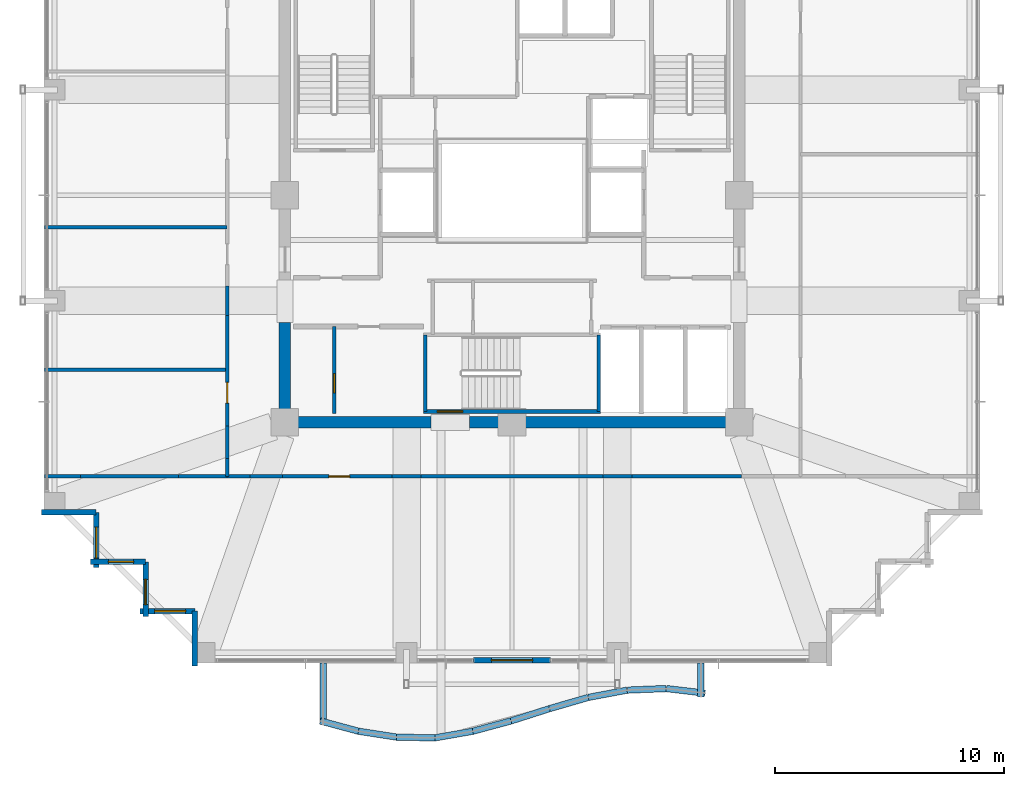
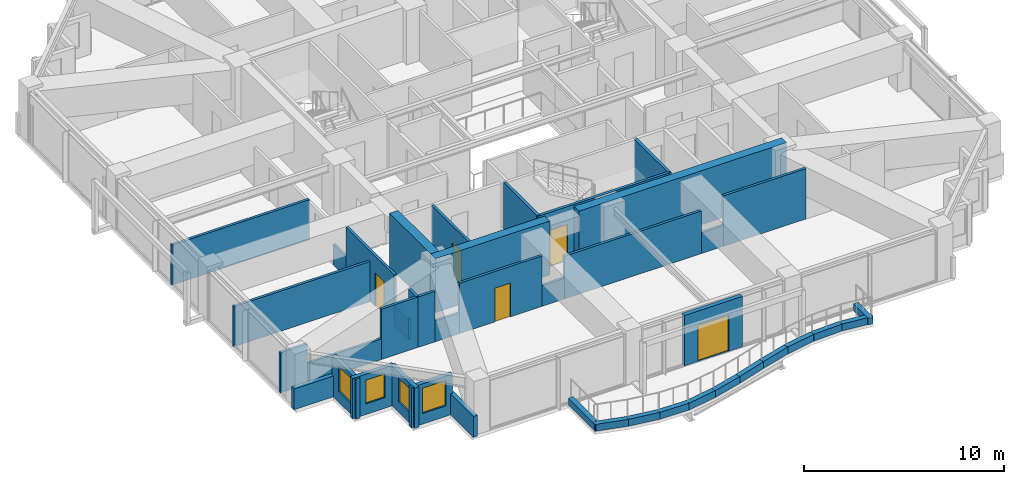
# One storey, part 31 of 37: 42 walls, 5 doors, 4 windows, 9 openings.
"""IFC4 building model written with IfcOpenShell, lengths in metres."""

from ifc_helpers import new_model, si_unit, direction, frame, frame_2d, origin, place, context, subcontext, project, spatial, rectangle, extrude, material, layer, layer_set, type_object, element, fill, save


model = new_model("IFC4")

# Units and contexts
model_context = context("Model", 3, precision=1e-05, world=origin(), true_north=direction((0.0, 1.0)))
body_context = subcontext(model_context, "Body", "Model", "MODEL_VIEW")
ifc_project = project(units=[si_unit("LENGTHUNIT", "METRE"), si_unit("AREAUNIT", "SQUARE_METRE"), si_unit("VOLUMEUNIT", "CUBIC_METRE"), si_unit("PLANEANGLEUNIT", "RADIAN"), si_unit("MASSUNIT", "GRAM", prefix="KILO")], contexts=[model_context])

# Site, building, storey
site_placement = place(None, origin())
site = spatial("IfcSite", under=ifc_project, at=site_placement, CompositionType="ELEMENT")
building_placement = place(site_placement, origin())
building = spatial("IfcBuilding", under=site, at=building_placement, Name="Kolvaren Belvedere", CompositionType="ELEMENT")
storey_placement = place(building_placement, frame((0.0, 0.0, 186.60009765625)))
storey = spatial("IfcBuildingStorey", under=building, at=storey_placement, Name="L54", CompositionType="ELEMENT", Elevation=186.60009765625)

# Walls
ifc_material_1 = material(Name="Concrete C50/60", Category="concrete")
ifc_layer_1 = layer(ifc_material_1, 0.5)
ifc_layer_set_1 = layer_set([ifc_layer_1], Name="Concrete C50/60")
wall_type_1 = type_object("IfcWallType", Name="CW-CORE-500", PredefinedType="SHEAR", material=ifc_layer_set_1)
wall_1_placement = place(storey_placement, frame((10.14990234375, -9.89990234375, 0.0), z_axis=(0.0, 0.0, 1.0), x_axis=(-1.0, 0.0, 0.0)))
element("IfcWall", 1, at=wall_1_placement, inside=storey, type_object=wall_type_1, Name="L54 South Core Shear Wall 1", PredefinedType="SHEAR", context=body_context, shape_type="SweptSolid", body=[
    extrude(rectangle(XDim=12.010009765625, YDim=0.5, at=frame_2d((6.0048828125, 0.0))), origin(), (0.0, 0.0, 1.0), 3.2998046875),
])
wall_2_placement = place(storey_placement, frame((-3.5400390625, -9.89990234375, 0.0), z_axis=(0.0, 0.0, 1.0), x_axis=(-1.0, 0.0, 0.0)))
element("IfcWall", 2, at=wall_2_placement, inside=storey, type_object=wall_type_1, Name="L54 South Core Shear Wall 2", PredefinedType="SHEAR", context=body_context, shape_type="SweptSolid", body=[
    extrude(rectangle(XDim=6.60986328125, YDim=0.5, at=frame_2d((3.304931640625, 0.0))), origin(), (0.0, 0.0, 1.0), 3.2998046875),
])
wall_3_placement = place(storey_placement, frame((-9.89990234375, -9.64990234375, 0.0), z_axis=(0.0, 0.0, 1.0), x_axis=(0.0, 1.0, 0.0)))
element("IfcWall", 3, at=wall_3_placement, inside=storey, type_object=wall_type_1, Name="L54 West Core Shear Wall 1", PredefinedType="SHEAR", context=body_context, shape_type="SweptSolid", body=[
    extrude(rectangle(XDim=4.099853515625, YDim=0.5, at=frame_2d((2.0498046875, 0.0))), origin(), (0.0, 0.0, 1.0), 3.2998046875),
])

# Wall, opening, door
ifc_material_2 = material(Name="Concrete C50/60", Category="concrete")
ifc_layer_2 = layer(ifc_material_2, 0.159912109375)
ifc_layer_set_2 = layer_set([ifc_layer_2], Name="Concrete C50/60")
wall_type_2 = type_object("IfcWallType", Name="CW-STAIR-160", PredefinedType="SHEAR", material=ifc_layer_set_2)
wall_4_placement = place(storey_placement, frame((3.860107421875, -9.429931640625, 0.0), z_axis=(0.0, 0.0, 1.0), x_axis=(-1.0, 0.0, 0.0)))
wall_4 = element("IfcWall", 4, at=wall_4_placement, inside=storey, type_object=wall_type_2, Name="L54 Stair ST-3 South Shear Wall", PredefinedType="SHEAR", context=body_context, shape_type="SweptSolid", body=[
    extrude(rectangle(XDim=7.72021484375, YDim=0.159912109375, at=frame_2d((3.860107421875, 0.0))), origin(), (0.0, 0.0, 1.0), 3.2998046875),
])
opening_1_placement = place(wall_4_placement, frame((6.010009765625, 0.0, 0.0)))
opening_1 = element("IfcOpeningElement", 5, at=opening_1_placement, cuts=wall_4, Name="Opening D-FD90", PredefinedType="OPENING", context=body_context, shape_type="SweptSolid", body=[
    extrude(rectangle(XDim=1.10009765625, YDim=2.199951171875, at=frame_2d((0.550048828125, 1.10009765625))), frame((0.0, 0.08984375, 0.0), z_axis=(0.0, -1.0, 0.0), x_axis=(1.0, 0.0, 0.0)), (0.0, 0.0, 1.0), 0.179931640625),
])
ifc_material_3 = material(Name="Painted hollow stainless steel", Category="steel")
door_type_1 = type_object("IfcDoorType", Name="DR-FD90-1100", OperationType="NOTDEFINED", PredefinedType="DOOR", material=ifc_material_3)
door_1_placement = place(opening_1_placement, origin())
door_1 = element("IfcDoor", 6, at=door_1_placement, inside=storey, type_object=door_type_1, Name="L54 Stair ST-3 Exit Door", OperationType="SINGLE_SWING_RIGHT", OverallHeight=2.199951171875, OverallWidth=1.10009765625, PredefinedType="DOOR", context=body_context, shape_type="SweptSolid", body=[
    extrude(rectangle(XDim=1.10009765625, YDim=2.199951171875, at=frame_2d((0.550048828125, 1.10009765625))), frame((0.0, 0.02490234375, 0.0), z_axis=(0.0, -1.0, 0.0), x_axis=(1.0, 0.0, 0.0)), (0.0, 0.0, 1.0), 0.050048828125),
])
fill(opening_1, door_1)

# Walls
for number, where, z_axis, x_axis, name in (
    (7, (-3.780029296875, -9.429931640625, 0.0), (0.0, 0.0, 1.0), (0.0, 1.0, 0.0), "L54 Stair ST-3 West Shear Wall"),
    (8, (3.780029296875, -9.429931640625, 0.0), (0.0, 0.0, 1.0), (0.0, 1.0, 0.0), "L54 Stair ST-3 East Shear Wall"),
):
    element("IfcWall", number, at=place(storey_placement, frame(where, z_axis=z_axis, x_axis=x_axis)), inside=storey, type_object=wall_type_2, Name=name, PredefinedType="SHEAR", context=body_context, shape_type="SweptSolid", body=[
        extrude(rectangle(XDim=3.349853515625, YDim=0.159912109375, at=frame_2d((1.6748046875, 0.0))), origin(), (0.0, 0.0, 1.0), 3.2998046875),
    ])
ifc_material_4 = material(Name="Gypsum fire-rated partition assembly", Category="gypsum")
ifc_layer_3 = layer(ifc_material_4, 0.14990234375)
ifc_layer_set_3 = layer_set([ifc_layer_3], Name="Gypsum fire-rated partition assembly")
wall_type_3 = type_object("IfcWallType", Name="WL-CORR-150", PredefinedType="PARTITIONING", material=ifc_layer_set_3)
wall_5_placement = place(storey_placement, frame((-12.419921875, -12.260009765625, 0.0), z_axis=(0.0, 0.0, 1.0), x_axis=(1.0, 0.0, 0.0)))
element("IfcWall", 9, at=wall_5_placement, inside=storey, type_object=wall_type_3, Name="L54 South Corridor Wall", PredefinedType="PARTITIONING", context=body_context, shape_type="SweptSolid", body=[
    extrude(rectangle(XDim=0.989501953125, YDim=0.14990234375, at=frame_2d((0.49462890625, 0.0))), origin(), (0.0, 0.0, 1.0), 3.079833984375),
])
wall_6_placement = place(storey_placement, frame((-11.430419921875, -12.260009765625, 0.0), z_axis=(0.0, 0.0, 1.0), x_axis=(1.0, 0.0, 0.0)))
element("IfcWall", 10, at=wall_6_placement, inside=storey, type_object=wall_type_3, Name="L54 South Corridor Wall", PredefinedType="PARTITIONING", context=body_context, shape_type="SweptSolid", body=[
    extrude(rectangle(XDim=1.416748046875, YDim=0.14990234375, at=frame_2d((0.70849609375, 0.0))), origin(), (0.0, 0.0, 1.0), 1.264892578125),
])

# Wall, opening, door
wall_7_placement = place(storey_placement, frame((-10.013671875, -12.260009765625, 0.0), z_axis=(0.0, 0.0, 1.0), x_axis=(1.0, 0.0, 0.0)))
wall_7 = element("IfcWall", 11, at=wall_7_placement, inside=storey, type_object=wall_type_3, Name="L54 South Corridor Wall", PredefinedType="PARTITIONING", context=body_context, shape_type="SweptSolid", body=[
    extrude(rectangle(XDim=4.771728515625, YDim=0.14990234375, at=frame_2d((2.3857421875, 0.0))), origin(), (0.0, 0.0, 1.0), 3.079833984375),
])
opening_2_placement = place(wall_7_placement, frame((2.028564453125, 0.0, 0.0)))
opening_2 = element("IfcOpeningElement", 12, at=opening_2_placement, cuts=wall_7, Name="Opening D-INT90", PredefinedType="OPENING", context=body_context, shape_type="SweptSolid", body=[
    extrude(rectangle(XDim=0.89990234375, YDim=2.06005859375, at=frame_2d((0.449951171875, 1.030029296875))), frame((0.0, 0.0849609375, 0.0), z_axis=(0.0, -1.0, 0.0), x_axis=(1.0, 0.0, 0.0)), (0.0, 0.0, 1.0), 0.169921875),
])
ifc_material_5 = material(Name="Stained Pacific white oak", Category="timber")
door_type_2 = type_object("IfcDoorType", Name="DR-INT-900", OperationType="NOTDEFINED", PredefinedType="DOOR", material=ifc_material_5)
door_2_placement = place(opening_2_placement, origin())
door_2 = element("IfcDoor", 13, at=door_2_placement, inside=storey, type_object=door_type_2, Name="L54 Lounge 5401 Door", OperationType="SINGLE_SWING_RIGHT", OverallHeight=2.06005859375, OverallWidth=0.89990234375, PredefinedType="DOOR", context=body_context, shape_type="SweptSolid", body=[
    extrude(rectangle(XDim=0.89990234375, YDim=2.06005859375, at=frame_2d((0.449951171875, 1.030029296875))), frame((0.0, 0.02490234375, 0.0), z_axis=(0.0, -1.0, 0.0), x_axis=(1.0, 0.0, 0.0)), (0.0, 0.0, 1.0), 0.050048828125),
])
fill(opening_2, door_2)

# Walls
wall_8_placement = place(storey_placement, frame((-5.241943359375, -12.260009765625, 0.0), z_axis=(0.0, 0.0, 1.0), x_axis=(1.0, 0.0, 0.0)))
element("IfcWall", 14, at=wall_8_placement, inside=storey, type_object=wall_type_3, Name="L54 South Corridor Wall", PredefinedType="PARTITIONING", context=body_context, shape_type="SweptSolid", body=[
    extrude(rectangle(XDim=1.283935546875, YDim=0.14990234375, at=frame_2d((0.64208984375, 0.0))), origin(), (0.0, 0.0, 1.0), 1.264892578125),
])
wall_9_placement = place(storey_placement, frame((-3.9580078125, -12.260009765625, 0.0), z_axis=(0.0, 0.0, 1.0), x_axis=(1.0, 0.0, 0.0)))
element("IfcWall", 15, at=wall_9_placement, inside=storey, type_object=wall_type_3, Name="L54 South Corridor Wall", PredefinedType="PARTITIONING", context=body_context, shape_type="SweptSolid", body=[
    extrude(rectangle(XDim=7.916015625, YDim=0.14990234375, at=frame_2d((3.9580078125, 0.0))), origin(), (0.0, 0.0, 1.0), 2.60498046875),
])
wall_10_placement = place(storey_placement, frame((3.9580078125, -12.260009765625, 0.0), z_axis=(0.0, 0.0, 1.0), x_axis=(1.0, 0.0, 0.0)))
element("IfcWall", 16, at=wall_10_placement, inside=storey, type_object=wall_type_3, Name="L54 South Corridor Wall", PredefinedType="PARTITIONING", context=body_context, shape_type="SweptSolid", body=[
    extrude(rectangle(XDim=1.283935546875, YDim=0.14990234375, at=frame_2d((0.64208984375, 0.0))), origin(), (0.0, 0.0, 1.0), 1.264892578125),
])
wall_11_placement = place(storey_placement, frame((5.241943359375, -12.260009765625, 0.0), z_axis=(0.0, 0.0, 1.0), x_axis=(1.0, 0.0, 0.0)))
element("IfcWall", 17, at=wall_11_placement, inside=storey, type_object=wall_type_3, Name="L54 South Corridor Wall", PredefinedType="PARTITIONING", context=body_context, shape_type="SweptSolid", body=[
    extrude(rectangle(XDim=4.771728515625, YDim=0.14990234375, at=frame_2d((2.3857421875, 0.0))), origin(), (0.0, 0.0, 1.0), 3.079833984375),
])
wall_12_placement = place(storey_placement, frame((-12.419921875, -12.260009765625, 0.0), z_axis=(0.0, 0.0, 1.0), x_axis=(0.0, 1.0, 0.0)))
element("IfcWall", 18, at=wall_12_placement, inside=storey, type_object=wall_type_3, Name="L54 West Corridor Wall", PredefinedType="PARTITIONING", context=body_context, shape_type="SweptSolid", body=[
    extrude(rectangle(XDim=0.77392578125, YDim=0.14990234375, at=frame_2d((0.386962890625, 0.0))), origin(), (0.0, 0.0, 1.0), 3.079833984375),
])
wall_13_placement = place(storey_placement, frame((-12.419921875, -11.486083984375, 0.0), z_axis=(0.0, 0.0, 1.0), x_axis=(0.0, 1.0, 0.0)))
element("IfcWall", 19, at=wall_13_placement, inside=storey, type_object=wall_type_3, Name="L54 West Corridor Wall", PredefinedType="PARTITIONING", context=body_context, shape_type="SweptSolid", body=[
    extrude(rectangle(XDim=1.416748046875, YDim=0.14990234375, at=frame_2d((0.70849609375, 0.0))), origin(), (0.0, 0.0, 1.0), 1.264892578125),
])

# Wall, opening, door
wall_14_placement = place(storey_placement, frame((-12.419921875, -10.0693359375, 0.0), z_axis=(0.0, 0.0, 1.0), x_axis=(0.0, 1.0, 0.0)))
wall_14 = element("IfcWall", 20, at=wall_14_placement, inside=storey, type_object=wall_type_3, Name="L54 West Corridor Wall", PredefinedType="PARTITIONING", context=body_context, shape_type="SweptSolid", body=[
    extrude(rectangle(XDim=4.827392578125, YDim=0.14990234375, at=frame_2d((2.41357421875, 0.0))), origin(), (0.0, 0.0, 1.0), 3.079833984375),
])
opening_3_placement = place(wall_14_placement, frame((1.012451171875, 0.0, 0.0)))
opening_3 = element("IfcOpeningElement", 21, at=opening_3_placement, cuts=wall_14, Name="Opening D-INT90", PredefinedType="OPENING", context=body_context, shape_type="SweptSolid", body=[
    extrude(rectangle(XDim=0.89990234375, YDim=2.06005859375, at=frame_2d((0.449951171875, 1.030029296875))), frame((0.0, 0.0849609375, 0.0), z_axis=(0.0, -1.0, 0.0), x_axis=(1.0, 0.0, 0.0)), (0.0, 0.0, 1.0), 0.169921875),
])
door_3_placement = place(opening_3_placement, origin())
door_3 = element("IfcDoor", 22, at=door_3_placement, inside=storey, type_object=door_type_2, Name="L54 Wellness Yoga & Reading Gym 5404 Door", OperationType="SINGLE_SWING_LEFT", OverallHeight=2.06005859375, OverallWidth=0.89990234375, PredefinedType="DOOR", context=body_context, shape_type="SweptSolid", body=[
    extrude(rectangle(XDim=0.89990234375, YDim=2.06005859375, at=frame_2d((0.449951171875, 1.030029296875))), frame((0.0, 0.02490234375, 0.0), z_axis=(0.0, -1.0, 0.0), x_axis=(1.0, 0.0, 0.0)), (0.0, 0.0, 1.0), 0.050048828125),
])
fill(opening_3, door_3)

# Wall
wall_15_placement = place(storey_placement, frame((-12.419921875, -5.241943359375, 0.0), z_axis=(0.0, 0.0, 1.0), x_axis=(0.0, 1.0, 0.0)))
element("IfcWall", 23, at=wall_15_placement, inside=storey, type_object=wall_type_3, Name="L54 West Corridor Wall", PredefinedType="PARTITIONING", context=body_context, shape_type="SweptSolid", body=[
    extrude(rectangle(XDim=1.283935546875, YDim=0.14990234375, at=frame_2d((0.64208984375, 0.0))), origin(), (0.0, 0.0, 1.0), 1.264892578125),
])

# Wall, opening, door
ifc_material_6 = material(Name="Insulated pale-metal facade wall assembly", Category="aluminium")
ifc_layer_4 = layer(ifc_material_6, 0.239990234375)
ifc_layer_set_4 = layer_set([ifc_layer_4], Name="Insulated pale-metal facade wall assembly")
wall_type_4 = type_object("IfcWallType", Name="WL-EXT-240", PredefinedType="STANDARD", material=ifc_layer_set_4)
wall_16_placement = place(storey_placement, frame((1.679931640625, -20.280029296875, 0.0), z_axis=(0.0, 0.0, 1.0), x_axis=(-1.0, 0.0, 0.0)))
wall_16 = element("IfcWall", 24, at=wall_16_placement, inside=storey, type_object=wall_type_4, Name="L54 South Terrace Portal Wall", PredefinedType="STANDARD", context=body_context, shape_type="SweptSolid", body=[
    extrude(rectangle(XDim=3.35986328125, YDim=0.239990234375, at=frame_2d((1.679931640625, 0.0))), origin(), (0.0, 0.0, 1.0), 3.079833984375),
])
opening_4_placement = place(wall_16_placement, frame((0.780029296875, 0.0, 0.0)))
opening_4 = element("IfcOpeningElement", 25, at=opening_4_placement, cuts=wall_16, Name="Opening DB-1800", PredefinedType="OPENING", context=body_context, shape_type="SweptSolid", body=[
    extrude(rectangle(XDim=1.800048828125, YDim=2.199951171875, at=frame_2d((0.89990234375, 1.10009765625))), frame((0.0, 0.1298828125, 0.0), z_axis=(0.0, -1.0, 0.0), x_axis=(1.0, 0.0, 0.0)), (0.0, 0.0, 1.0), 0.260009765625),
])
ifc_material_7 = material(Name="Thermally broken pale-metal aluminium & low-iron glass", Category="aluminium")
door_type_3 = type_object("IfcDoorType", Name="DR-BAL-1800", OperationType="DOUBLE_DOOR_SLIDING", PredefinedType="DOOR", material=ifc_material_7)
door_4_placement = place(opening_4_placement, origin())
door_4 = element("IfcDoor", 26, at=door_4_placement, inside=storey, type_object=door_type_3, Name="L54 South Planted Terrace Sliding Door", OperationType="DOUBLE_DOOR_SLIDING", OverallHeight=2.199951171875, OverallWidth=1.800048828125, PredefinedType="DOOR", context=body_context, shape_type="SweptSolid", body=[
    extrude(rectangle(XDim=1.800048828125, YDim=2.199951171875, at=frame_2d((0.89990234375, 1.10009765625))), frame((0.0, 0.02490234375, 0.0), z_axis=(0.0, -1.0, 0.0), x_axis=(1.0, 0.0, 0.0)), (0.0, 0.0, 1.0), 0.050048828125),
])
fill(opening_4, door_4)

# Wall
wall_17_placement = place(storey_placement, frame((-18.1298828125, -13.830078125, 0.0), z_axis=(0.0, 0.0, 1.0), x_axis=(-1.0, 0.0, 0.0)))
element("IfcWall", 27, at=wall_17_placement, inside=storey, type_object=wall_type_4, Name="L54 Serrated Corner Facade Wall 23", PredefinedType="STANDARD", context=body_context, shape_type="SweptSolid", body=[
    extrude(rectangle(XDim=2.39013671875, YDim=0.239990234375, at=frame_2d((1.195068359375, 0.0))), origin(), (0.0, 0.0, 1.0), 1.27490234375),
])

# Wall, opening, window
wall_18_placement = place(storey_placement, frame((-18.1298828125, -16.219970703125, 0.0), z_axis=(0.0, 0.0, 1.0), x_axis=(0.0, 1.0, 0.0)))
wall_18 = element("IfcWall", 28, at=wall_18_placement, inside=storey, type_object=wall_type_4, Name="L54 Serrated Corner Facade Wall 24", PredefinedType="STANDARD", context=body_context, shape_type="SweptSolid", body=[
    extrude(rectangle(XDim=2.389892578125, YDim=0.239990234375, at=frame_2d((1.19482421875, 0.0))), origin(), (0.0, 0.0, 1.0), 2.462890625),
])
opening_5_placement = place(wall_18_placement, frame((0.39990234375, 0.0, 0.64990234375)))
opening_5 = element("IfcOpeningElement", 29, at=opening_5_placement, cuts=wall_18, Name="Opening W-1350", PredefinedType="OPENING", context=body_context, shape_type="SweptSolid", body=[
    extrude(rectangle(XDim=1.35009765625, YDim=1.550048828125, at=frame_2d((0.675048828125, 0.77490234375))), frame((0.0, 0.1298828125, 0.0), z_axis=(0.0, -1.0, 0.0), x_axis=(1.0, 0.0, 0.0)), (0.0, 0.0, 1.0), 0.260009765625),
])
ifc_material_8 = material(Name="Low-iron triple insulated glass", Category="glass")
window_type_1 = type_object("IfcWindowType", Name="WN-CORN-1350", PartitioningType="SINGLE_PANEL", PredefinedType="WINDOW", material=ifc_material_8)
window_1_placement = place(opening_5_placement, origin())
window_1 = element("IfcWindow", 30, at=window_1_placement, inside=storey, type_object=window_type_1, Name="L54 Serrated Corner Vision Window 24", OverallHeight=1.550048828125, OverallWidth=1.35009765625, PartitioningType="SINGLE_PANEL", PredefinedType="WINDOW", context=body_context, shape_type="SweptSolid", body=[
    extrude(rectangle(XDim=1.35009765625, YDim=1.550048828125, at=frame_2d((0.675048828125, 0.77490234375))), frame((0.0, 0.030029296875, 0.0), z_axis=(0.0, -1.0, 0.0), x_axis=(1.0, 0.0, 0.0)), (0.0, 0.0, 1.0), 0.06005859375),
])
fill(opening_5, window_1)

wall_19_placement = place(storey_placement, frame((-15.97998046875, -15.97998046875, 0.0), z_axis=(0.0, 0.0, 1.0), x_axis=(-1.0, 0.0, 0.0)))
wall_19 = element("IfcWall", 31, at=wall_19_placement, inside=storey, type_object=wall_type_4, Name="L54 Serrated Corner Facade Wall 25", PredefinedType="STANDARD", context=body_context, shape_type="SweptSolid", body=[
    extrude(rectangle(XDim=2.39013671875, YDim=0.239990234375, at=frame_2d((1.195068359375, 0.0))), origin(), (0.0, 0.0, 1.0), 2.462890625),
])
opening_6_placement = place(wall_19_placement, frame((0.52490234375, 0.0, 0.64990234375)))
opening_6 = element("IfcOpeningElement", 32, at=opening_6_placement, cuts=wall_19, Name="Opening W-1100", PredefinedType="OPENING", context=body_context, shape_type="SweptSolid", body=[
    extrude(rectangle(XDim=1.10009765625, YDim=1.449951171875, at=frame_2d((0.550048828125, 0.72509765625))), frame((0.0, 0.1298828125, 0.0), z_axis=(0.0, -1.0, 0.0), x_axis=(1.0, 0.0, 0.0)), (0.0, 0.0, 1.0), 0.260009765625),
])
ifc_material_9 = material(Name="Low-iron triple insulated glass", Category="glass")
window_type_2 = type_object("IfcWindowType", Name="WN-CORN-1100", PartitioningType="SINGLE_PANEL", PredefinedType="WINDOW", material=ifc_material_9)
window_2_placement = place(opening_6_placement, origin())
window_2 = element("IfcWindow", 33, at=window_2_placement, inside=storey, type_object=window_type_2, Name="L54 Serrated Corner Vision Window 25", OverallHeight=1.449951171875, OverallWidth=1.10009765625, PartitioningType="SINGLE_PANEL", PredefinedType="WINDOW", context=body_context, shape_type="SweptSolid", body=[
    extrude(rectangle(XDim=1.10009765625, YDim=1.449951171875, at=frame_2d((0.550048828125, 0.72509765625))), frame((0.0, 0.030029296875, 0.0), z_axis=(0.0, -1.0, 0.0), x_axis=(1.0, 0.0, 0.0)), (0.0, 0.0, 1.0), 0.06005859375),
])
fill(opening_6, window_2)

wall_20_placement = place(storey_placement, frame((-15.97998046875, -18.3701171875, 0.0), z_axis=(0.0, 0.0, 1.0), x_axis=(0.0, 1.0, 0.0)))
wall_20 = element("IfcWall", 34, at=wall_20_placement, inside=storey, type_object=wall_type_4, Name="L54 Serrated Corner Facade Wall 26", PredefinedType="STANDARD", context=body_context, shape_type="SweptSolid", body=[
    extrude(rectangle(XDim=2.39013671875, YDim=0.239990234375, at=frame_2d((1.195068359375, 0.0))), origin(), (0.0, 0.0, 1.0), 2.462890625),
])
opening_7_placement = place(wall_20_placement, frame((0.52490234375, 0.0, 0.64990234375)))
opening_7 = element("IfcOpeningElement", 35, at=opening_7_placement, cuts=wall_20, Name="Opening W-1100", PredefinedType="OPENING", context=body_context, shape_type="SweptSolid", body=[
    extrude(rectangle(XDim=1.10009765625, YDim=1.449951171875, at=frame_2d((0.550048828125, 0.72509765625))), frame((0.0, 0.1298828125, 0.0), z_axis=(0.0, -1.0, 0.0), x_axis=(1.0, 0.0, 0.0)), (0.0, 0.0, 1.0), 0.260009765625),
])
window_3_placement = place(opening_7_placement, origin())
window_3 = element("IfcWindow", 36, at=window_3_placement, inside=storey, type_object=window_type_2, Name="L54 Serrated Corner Vision Window 26", OverallHeight=1.449951171875, OverallWidth=1.10009765625, PartitioningType="SINGLE_PANEL", PredefinedType="WINDOW", context=body_context, shape_type="SweptSolid", body=[
    extrude(rectangle(XDim=1.10009765625, YDim=1.449951171875, at=frame_2d((0.550048828125, 0.72509765625))), frame((0.0, 0.030029296875, 0.0), z_axis=(0.0, -1.0, 0.0), x_axis=(1.0, 0.0, 0.0)), (0.0, 0.0, 1.0), 0.06005859375),
])
fill(opening_7, window_3)

wall_21_placement = place(storey_placement, frame((-13.830078125, -18.1298828125, 0.0), z_axis=(0.0, 0.0, 1.0), x_axis=(-1.0, 0.0, 0.0)))
wall_21 = element("IfcWall", 37, at=wall_21_placement, inside=storey, type_object=wall_type_4, Name="L54 Serrated Corner Facade Wall 27", PredefinedType="STANDARD", context=body_context, shape_type="SweptSolid", body=[
    extrude(rectangle(XDim=2.389892578125, YDim=0.239990234375, at=frame_2d((1.19482421875, 0.0))), origin(), (0.0, 0.0, 1.0), 2.462890625),
])
opening_8_placement = place(wall_21_placement, frame((0.39990234375, 0.0, 0.64990234375)))
opening_8 = element("IfcOpeningElement", 38, at=opening_8_placement, cuts=wall_21, Name="Opening W-1350", PredefinedType="OPENING", context=body_context, shape_type="SweptSolid", body=[
    extrude(rectangle(XDim=1.35009765625, YDim=1.550048828125, at=frame_2d((0.675048828125, 0.77490234375))), frame((0.0, 0.1298828125, 0.0), z_axis=(0.0, -1.0, 0.0), x_axis=(1.0, 0.0, 0.0)), (0.0, 0.0, 1.0), 0.260009765625),
])
window_4_placement = place(opening_8_placement, origin())
window_4 = element("IfcWindow", 39, at=window_4_placement, inside=storey, type_object=window_type_1, Name="L54 Serrated Corner Vision Window 27", OverallHeight=1.550048828125, OverallWidth=1.35009765625, PartitioningType="SINGLE_PANEL", PredefinedType="WINDOW", context=body_context, shape_type="SweptSolid", body=[
    extrude(rectangle(XDim=1.35009765625, YDim=1.550048828125, at=frame_2d((0.675048828125, 0.77490234375))), frame((0.0, 0.030029296875, 0.0), z_axis=(0.0, -1.0, 0.0), x_axis=(1.0, 0.0, 0.0)), (0.0, 0.0, 1.0), 0.06005859375),
])
fill(opening_8, window_4)

# Wall
wall_22_placement = place(storey_placement, frame((-13.830078125, -20.52001953125, 0.0), z_axis=(0.0, 0.0, 1.0), x_axis=(0.0, 1.0, 0.0)))
element("IfcWall", 40, at=wall_22_placement, inside=storey, type_object=wall_type_4, Name="L54 Serrated Corner Facade Wall 28", PredefinedType="STANDARD", context=body_context, shape_type="SweptSolid", body=[
    extrude(rectangle(XDim=2.39013671875, YDim=0.239990234375, at=frame_2d((1.195068359375, 0.0))), origin(), (0.0, 0.0, 1.0), 1.27490234375),
])

# Wall, opening, door
ifc_material_10 = material(Name="Gypsum acoustic partition assembly", Category="gypsum")
ifc_layer_5 = layer(ifc_material_10, 0.14990234375)
ifc_layer_set_5 = layer_set([ifc_layer_5], Name="Gypsum acoustic partition assembly")
wall_type_5 = type_object("IfcWallType", Name="WL-PART-150", PredefinedType="PARTITIONING", material=ifc_layer_set_5)
wall_23_placement = place(storey_placement, frame((-7.75, -9.52001953125, 0.0), z_axis=(0.0, 0.0, 1.0), x_axis=(0.0, 1.0, 0.0)))
wall_23 = element("IfcWall", 41, at=wall_23_placement, inside=storey, type_object=wall_type_5, Name="L54 Reclaimed Mid Store Divider", PredefinedType="PARTITIONING", context=body_context, shape_type="SweptSolid", body=[
    extrude(rectangle(XDim=3.800048828125, YDim=0.14990234375, at=frame_2d((1.89990234375, 0.0))), origin(), (0.0, 0.0, 1.0), 3.079833984375),
])
opening_9_placement = place(wall_23_placement, frame((0.89990234375, 0.0, 0.0)))
opening_9 = element("IfcOpeningElement", 42, at=opening_9_placement, cuts=wall_23, Name="Opening D-INT85", PredefinedType="OPENING", context=body_context, shape_type="SweptSolid", body=[
    extrude(rectangle(XDim=0.85009765625, YDim=2.030029296875, at=frame_2d((0.425048828125, 1.01513671875))), frame((0.0, 0.0849609375, 0.0), z_axis=(0.0, -1.0, 0.0), x_axis=(1.0, 0.0, 0.0)), (0.0, 0.0, 1.0), 0.169921875),
])
ifc_material_11 = material(Name="Stained Pacific white oak", Category="timber")
door_type_4 = type_object("IfcDoorType", Name="DR-INT-850", OperationType="NOTDEFINED", PredefinedType="DOOR", material=ifc_material_11)
door_5_placement = place(opening_9_placement, origin())
door_5 = element("IfcDoor", 43, at=door_5_placement, inside=storey, type_object=door_type_4, Name="L54 Janitor Store Door", OperationType="SINGLE_SWING_RIGHT", OverallHeight=2.030029296875, OverallWidth=0.85009765625, PredefinedType="DOOR", context=body_context, shape_type="SweptSolid", body=[
    extrude(rectangle(XDim=0.85009765625, YDim=2.030029296875, at=frame_2d((0.425048828125, 1.01513671875))), frame((0.0, 0.02490234375, 0.0), z_axis=(0.0, -1.0, 0.0), x_axis=(1.0, 0.0, 0.0)), (0.0, 0.0, 1.0), 0.050048828125),
])
fill(opening_9, door_5)

# Walls
wall_24_placement = place(storey_placement, frame((-20.3798828125, -12.260009765625, 0.0), z_axis=(0.0, 0.0, 1.0), x_axis=(1.0, 0.0, 0.0)))
element("IfcWall", 44, at=wall_24_placement, inside=storey, type_object=wall_type_5, Name="L54 Wing Divider PW-L54-QSW", PredefinedType="PARTITIONING", context=body_context, shape_type="SweptSolid", body=[
    extrude(rectangle(XDim=1.562744140625, YDim=0.14990234375, at=frame_2d((0.78125, 0.0))), origin(), (0.0, 0.0, 1.0), 2.452880859375),
])
wall_25_placement = place(storey_placement, frame((-18.817138671875, -12.260009765625, 0.0), z_axis=(0.0, 0.0, 1.0), x_axis=(1.0, 0.0, 0.0)))
element("IfcWall", 45, at=wall_25_placement, inside=storey, type_object=wall_type_5, Name="L54 Wing Divider PW-L54-QSW", PredefinedType="PARTITIONING", context=body_context, shape_type="SweptSolid", body=[
    extrude(rectangle(XDim=4.28125, YDim=0.14990234375, at=frame_2d((2.140625, 0.0))), origin(), (0.0, 0.0, 1.0), 1.264892578125),
])
wall_26_placement = place(storey_placement, frame((-14.535888671875, -12.260009765625, 0.0), z_axis=(0.0, 0.0, 1.0), x_axis=(1.0, 0.0, 0.0)))
element("IfcWall", 46, at=wall_26_placement, inside=storey, type_object=wall_type_5, Name="L54 Wing Divider PW-L54-QSW", PredefinedType="PARTITIONING", context=body_context, shape_type="SweptSolid", body=[
    extrude(rectangle(XDim=2.115966796875, YDim=0.14990234375, at=frame_2d((1.05810546875, 0.0))), origin(), (0.0, 0.0, 1.0), 3.079833984375),
])
for number, where, z_axis, x_axis, name in (
    (47, (-20.3798828125, -7.60009765625, 0.0), (0.0, 0.0, 1.0), (1.0, 0.0, 0.0), "L54 West Suite Demising Wall 1"),
    (48, (-20.3798828125, -1.39990234375, 0.0), (0.0, 0.0, 1.0), (1.0, 0.0, 0.0), "L54 West Suite Demising Wall 2"),
):
    element("IfcWall", number, at=place(storey_placement, frame(where, z_axis=z_axis, x_axis=x_axis)), inside=storey, type_object=wall_type_5, Name=name, PredefinedType="PARTITIONING", context=body_context, shape_type="SweptSolid", body=[
        extrude(rectangle(XDim=7.9599609375, YDim=0.14990234375, at=frame_2d((3.97998046875, 0.0))), origin(), (0.0, 0.0, 1.0), 2.452880859375),
    ])
ifc_material_12 = material(Name="Precast concrete C40/50", Category="concrete")
ifc_layer_6 = layer(ifc_material_12, 0.300048828125)
ifc_layer_set_6 = layer_set([ifc_layer_6], Name="Precast concrete C40/50")
wall_type_6 = type_object("IfcWallType", Name="WL-PLANTER-300", PredefinedType="PARAPET", material=ifc_layer_set_6)
wall_27_placement = place(storey_placement, frame((-8.3583984375, -22.919189453125, -0.0400390625), z_axis=(0.0, 0.0, 1.0), x_axis=(0.965434024814, -0.260647546949, 0.0)))
element("IfcWall", 49, at=wall_27_placement, inside=storey, type_object=wall_type_6, Name="L54 Precast Structural Planter Wall BAL-S-1", PredefinedType="PARAPET", context=body_context, shape_type="SweptSolid", body=[
    extrude(rectangle(XDim=1.740234375, YDim=0.280029296875, at=frame_2d((0.8701171875, 0.0))), origin(), (0.0, 0.0, 1.0), 0.419921875),
])
wall_28_placement = place(storey_placement, frame((-6.695556640625, -23.369140625, -0.0400390625), z_axis=(0.0, 0.0, 1.0), x_axis=(0.988341789514, -0.152251460091, 0.0)))
element("IfcWall", 50, at=wall_28_placement, inside=storey, type_object=wall_type_6, Name="L54 Precast Structural Planter Wall BAL-S-2", PredefinedType="PARAPET", context=body_context, shape_type="SweptSolid", body=[
    extrude(rectangle(XDim=1.69970703125, YDim=0.280029296875, at=frame_2d((0.849853515625, 0.0))), origin(), (0.0, 0.0, 1.0), 0.419921875),
])
wall_29_placement = place(storey_placement, frame((-5.036865234375, -23.626220703125, -0.0400390625), z_axis=(0.0, 0.0, 1.0), x_axis=(0.999799013034, -0.020048280122, 0.0)))
element("IfcWall", 51, at=wall_29_placement, inside=storey, type_object=wall_type_6, Name="L54 Precast Structural Planter Wall BAL-S-3", PredefinedType="PARAPET", context=body_context, shape_type="SweptSolid", body=[
    extrude(rectangle(XDim=1.680419921875, YDim=0.280029296875, at=frame_2d((0.84033203125, 0.0))), origin(), (0.0, 0.0, 1.0), 0.419921875),
])
wall_30_placement = place(storey_placement, frame((-3.387451171875, -23.662353515625, -0.0400390625), z_axis=(0.0, 0.0, 1.0), x_axis=(0.985156010777, 0.171661394699, 0.0)))
element("IfcWall", 52, at=wall_30_placement, inside=storey, type_object=wall_type_6, Name="L54 Precast Structural Planter Wall BAL-S-4", PredefinedType="PARAPET", context=body_context, shape_type="SweptSolid", body=[
    extrude(rectangle(XDim=1.705322265625, YDim=0.280029296875, at=frame_2d((0.8525390625, 0.0))), origin(), (0.0, 0.0, 1.0), 0.419921875),
])
wall_31_placement = place(storey_placement, frame((-1.7216796875, -23.372802734375, -0.0400390625), z_axis=(0.0, 0.0, 1.0), x_axis=(0.965424492388, 0.260682852326, 0.0)))
element("IfcWall", 53, at=wall_31_placement, inside=storey, type_object=wall_type_6, Name="L54 Precast Structural Planter Wall BAL-S-5", PredefinedType="PARAPET", context=body_context, shape_type="SweptSolid", body=[
    extrude(rectangle(XDim=1.739990234375, YDim=0.280029296875, at=frame_2d((0.8701171875, 0.0))), origin(), (0.0, 0.0, 1.0), 0.419921875),
])
wall_32_placement = place(storey_placement, frame((-0.048583984375, -22.92138671875, -0.0400390625), z_axis=(0.0, 0.0, 1.0), x_axis=(0.952661770826, 0.304032153573, 0.0)))
element("IfcWall", 54, at=wall_32_placement, inside=storey, type_object=wall_type_6, Name="L54 Precast Structural Planter Wall BAL-S-6", PredefinedType="PARAPET", context=body_context, shape_type="SweptSolid", body=[
    extrude(rectangle(XDim=1.763427734375, YDim=0.280029296875, at=frame_2d((0.8818359375, 0.0))), origin(), (0.0, 0.0, 1.0), 0.419921875),
])
wall_33_placement = place(storey_placement, frame((1.635498046875, -22.3837890625, -0.0400390625), z_axis=(0.0, 0.0, 1.0), x_axis=(0.960633903819, 0.277817391164, 0.0)))
element("IfcWall", 55, at=wall_33_placement, inside=storey, type_object=wall_type_6, Name="L54 Precast Structural Planter Wall BAL-S-7", PredefinedType="PARAPET", context=body_context, shape_type="SweptSolid", body=[
    extrude(rectangle(XDim=1.748779296875, YDim=0.280029296875, at=frame_2d((0.87451171875, 0.0))), origin(), (0.0, 0.0, 1.0), 0.419921875),
])
wall_34_placement = place(storey_placement, frame((3.330322265625, -21.894287109375, -0.0400390625), z_axis=(0.0, 0.0, 1.0), x_axis=(0.982804219087, 0.184650661912, 0.0)))
element("IfcWall", 56, at=wall_34_placement, inside=storey, type_object=wall_type_6, Name="L54 Precast Structural Planter Wall BAL-S-8", PredefinedType="PARAPET", context=body_context, shape_type="SweptSolid", body=[
    extrude(rectangle(XDim=1.70947265625, YDim=0.280029296875, at=frame_2d((0.854736328125, 0.0))), origin(), (0.0, 0.0, 1.0), 0.419921875),
])
wall_35_placement = place(storey_placement, frame((5.03369140625, -21.575927734375, -0.0400390625), z_axis=(0.0, 0.0, 1.0), x_axis=(0.999196545286, 0.040078222133, 0.0)))
element("IfcWall", 57, at=wall_35_placement, inside=storey, type_object=wall_type_6, Name="L54 Precast Structural Planter Wall BAL-S-9", PredefinedType="PARAPET", context=body_context, shape_type="SweptSolid", body=[
    extrude(rectangle(XDim=1.681396484375, YDim=0.280029296875, at=frame_2d((0.8408203125, 0.0))), origin(), (0.0, 0.0, 1.0), 0.419921875),
])
wall_36_placement = place(storey_placement, frame((6.73876953125, -21.509521484375, -0.0400390625), z_axis=(0.0, 0.0, 1.0), x_axis=(0.993125952783, -0.11705059551, 0.0)))
element("IfcWall", 58, at=wall_36_placement, inside=storey, type_object=wall_type_6, Name="L54 Precast Structural Planter Wall BAL-S-10", PredefinedType="PARAPET", context=body_context, shape_type="SweptSolid", body=[
    extrude(rectangle(XDim=1.691650390625, YDim=0.280029296875, at=frame_2d((0.845703125, 0.0))), origin(), (0.0, 0.0, 1.0), 0.419921875),
])
wall_37_placement = place(storey_placement, frame((8.239990234375, -21.8662109375, -0.0400390625), z_axis=(0.0, 0.0, 1.0), x_axis=(0.0, 1.0, 0.0)))
element("IfcWall", 59, at=wall_37_placement, inside=storey, type_object=wall_type_6, Name="L54 Precast Structural Planter Wall BAL-S-11", PredefinedType="PARAPET", context=body_context, shape_type="SweptSolid", body=[
    extrude(rectangle(XDim=1.46630859375, YDim=0.280029296875, at=frame_2d((0.733154296875, 0.0))), origin(), (0.0, 0.0, 1.0), 0.419921875),
])
wall_38_placement = place(storey_placement, frame((-8.239990234375, -20.39990234375, -0.0400390625), z_axis=(0.0, 0.0, 1.0), x_axis=(0.0, -1.0, 0.0)))
element("IfcWall", 60, at=wall_38_placement, inside=storey, type_object=wall_type_6, Name="L54 Precast Structural Planter Wall BAL-S-22", PredefinedType="PARAPET", context=body_context, shape_type="SweptSolid", body=[
    extrude(rectangle(XDim=2.673828125, YDim=0.280029296875, at=frame_2d((1.3369140625, 0.0))), origin(), (0.0, 0.0, 1.0), 0.419921875),
])

save(model, "model.ifc")
